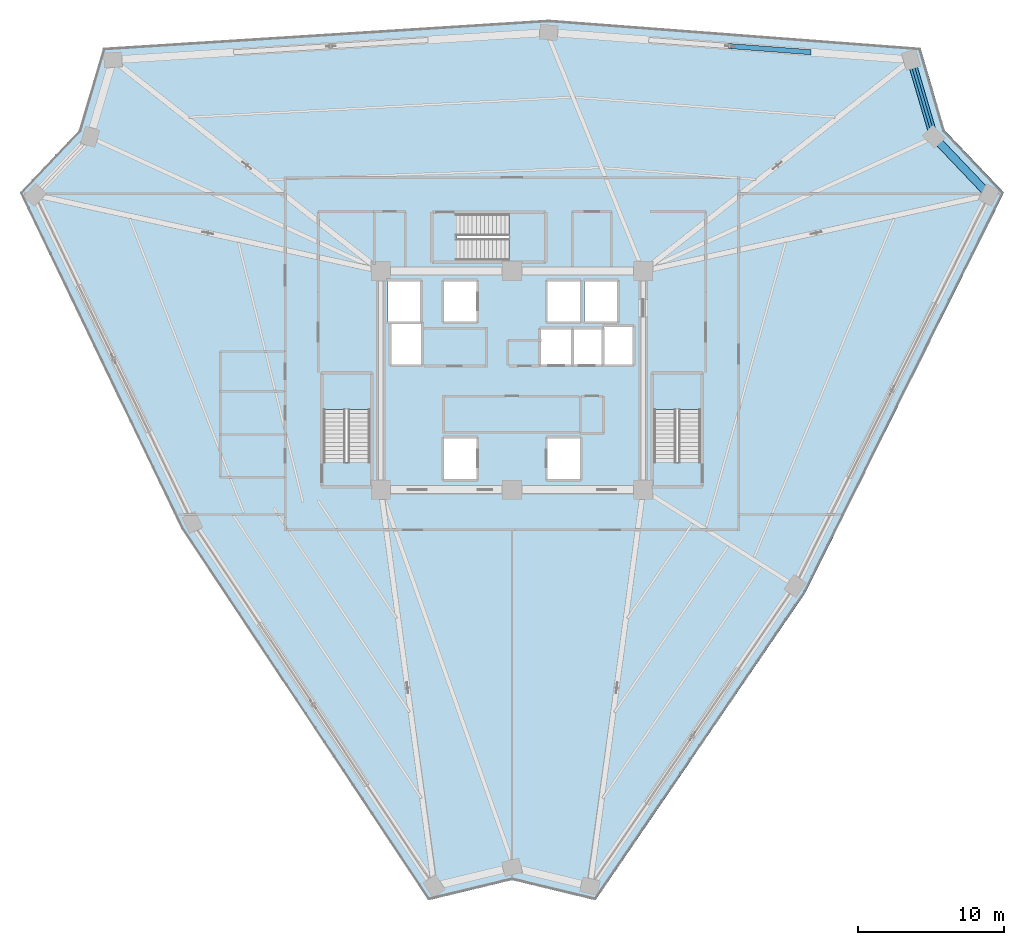
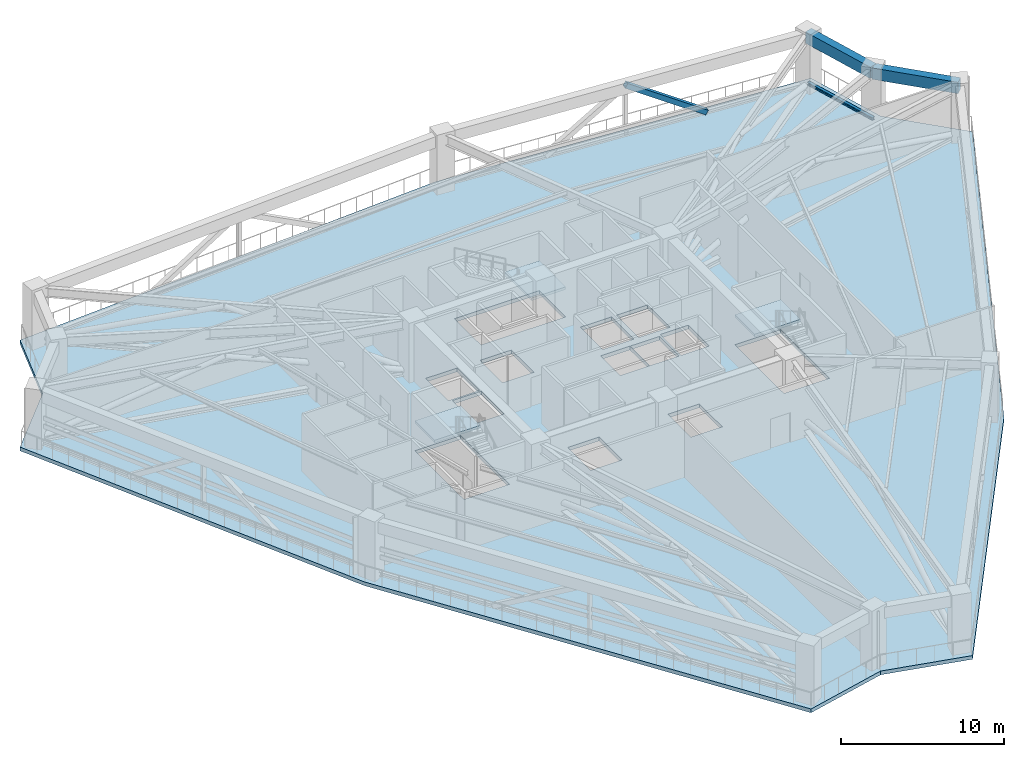
# One storey, part 11 of 25: 4 slabs, 2 beams, 2 members, 3 elements without a shape of their own.
"""IFC4 building model written with IfcOpenShell, lengths in metres."""

from ifc_helpers import new_model, si_unit, direction, frame, origin, origin_2d, place, context, subcontext, project, spatial, polyline, rectangle, hollow_rectangle, i_section, outline, extrude, source, transform, mapped, material, layer, layer_set, material_profile, profile_set, type_object, element, aggregate, save


model = new_model("IFC4")

# Units and contexts
model_context = context("Model", 3, precision=1e-05, world=origin(), true_north=direction((0.0, 1.0)))
body_context = subcontext(model_context, "Body", "Model", "MODEL_VIEW")
ifc_project = project(units=[si_unit("LENGTHUNIT", "METRE"), si_unit("AREAUNIT", "SQUARE_METRE"), si_unit("VOLUMEUNIT", "CUBIC_METRE"), si_unit("PLANEANGLEUNIT", "RADIAN"), si_unit("MASSUNIT", "GRAM", prefix="KILO")], contexts=[model_context])

# Site, building, storey
site_placement = place(None, origin())
site = spatial("IfcSite", under=ifc_project, at=site_placement, CompositionType="ELEMENT")
building_placement = place(site_placement, origin())
building = spatial("IfcBuilding", under=site, at=building_placement, Name="Liaohun Quay Tower", CompositionType="ELEMENT")
storey_placement = place(building_placement, frame((0.0, 0.0, 231.75)))
storey = spatial("IfcBuildingStorey", under=building, at=storey_placement, Name="L60", CompositionType="ELEMENT", Elevation=231.75)

# Beams
ifc_material_1 = material(Name="Precast concrete C50", Category="concrete")
ifc_material_profile_1 = material_profile(ifc_material_1, rectangle(XDim=0.550048828125, YDim=0.85009765625, at=origin_2d()), Name="RC550x850")
ifc_profile_set_1 = profile_set([ifc_material_profile_1], Name="Precast concrete C50")
beam_type = type_object("IfcBeamType", Name="BM-SPD-Z3", PredefinedType="SPANDREL", material=ifc_profile_set_1)
shared_shape_1 = source(origin(), body_context, "Body", "SweptSolid", [
    extrude(rectangle(XDim=0.550048828125, YDim=0.85009765625, at=origin_2d()), origin(), (0.0, 0.0, 1.0), 5.50732421875),
])
beam_1_placement = place(storey_placement, frame((87.382080078125, 75.990966796875, 3.89501953125), z_axis=(0.282516711831, -0.959262376796, 0.0), x_axis=(0.959262376796, 0.282516711831, 0.0)))
element("IfcBeam", 1, at=beam_1_placement, inside=storey, type_object=beam_type, Name="L60 Precast Spandrel Beam PC07-PC08", PredefinedType="SPANDREL", context=body_context, shape_type="MappedRepresentation", body=[
    mapped(shared_shape_1, transform((0.0, 0.0, 0.0), x_axis=(1.0, 0.0, 0.0), y_axis=(0.0, 1.0, 0.0), z_axis=(0.0, 0.0, 1.0), scale=1.0)),
])
shared_shape_2 = source(origin(), body_context, "Body", "SweptSolid", [
    extrude(rectangle(XDim=0.550048828125, YDim=0.85009765625, at=origin_2d()), origin(), (0.0, 0.0, 1.0), 5.500244140625),
])
beam_2_placement = place(storey_placement, frame((88.93798828125, 70.7080078125, 3.89501953125), z_axis=(0.68924275152, -0.724530488991, 0.0), x_axis=(0.724530488991, 0.68924275152, 0.0)))
element("IfcBeam", 2, at=beam_2_placement, inside=storey, type_object=beam_type, Name="L60 Precast Spandrel Beam PC08-PC09", PredefinedType="SPANDREL", context=body_context, shape_type="MappedRepresentation", body=[
    mapped(shared_shape_2, transform((0.0, 0.0, 0.0), x_axis=(1.0, 0.0, 0.0), y_axis=(0.0, 1.0, 0.0), z_axis=(0.0, 0.0, 1.0), scale=1.0)),
])

# Members
ifc_material_2 = material(Name="Steel Q355D", Category="steel")
ifc_material_profile_2 = material_profile(ifc_material_2, hollow_rectangle(XDim=0.35009765625, YDim=0.35009765625, WallThickness=0.01611328125, at=origin_2d()), Name="SHS350x350x16")
ifc_profile_set_2 = profile_set([ifc_material_profile_2], Name="Steel Q355D")
member_type_1 = type_object("IfcMemberType", Name="MEM-BLT-DG2", PredefinedType="BRACE", material=ifc_profile_set_2)
shared_shape_3 = source(origin(), body_context, "Body", "SweptSolid", [
    extrude(hollow_rectangle(XDim=0.35009765625, YDim=0.35009765625, WallThickness=0.01611328125, at=origin_2d()), origin(), (0.0, 0.0, 1.0), 6.599853515625),
])
member_1_placement = place(storey_placement, frame((74.949951171875, 76.929931640625, 4.02001953125), z_axis=(0.828789676639, -0.062552258121, -0.556052953324), x_axis=(0.075260174428, 0.99716393143, 0.0)))
element("IfcMember", 3, at=member_1_placement, inside=storey, type_object=member_type_1, Name="L60 Belt Truss Diagonal BD-04B", PredefinedType="BRACE", context=body_context, shape_type="MappedRepresentation", body=[
    mapped(shared_shape_3, transform((0.0, 0.0, 0.0), x_axis=(1.0, 0.0, 0.0), y_axis=(0.0, 1.0, 0.0), z_axis=(0.0, 0.0, 1.0), scale=1.0)),
])
ifc_material_profile_3 = material_profile(ifc_material_2, i_section(OverallWidth=0.199951171875, OverallDepth=0.199951171875, WebThickness=0.008056640625, FlangeThickness=0.011962890625, at=origin_2d()), Name="HW200x200x8x12")
ifc_profile_set_3 = profile_set([ifc_material_profile_3], Name="Steel Q355D")
member_type_2 = type_object("IfcMemberType", Name="MEM-HDR-TRM", PredefinedType="STUD", material=ifc_profile_set_3)
shared_shape_4 = source(origin(), body_context, "Body", "SweptSolid", [
    extrude(i_section(OverallWidth=0.199951171875, OverallDepth=0.199951171875, WebThickness=0.008056640625, FlangeThickness=0.011962890625, at=origin_2d()), origin(), (0.0, 0.0, 1.0), 5.50732421875),
])
member_2_placement = place(storey_placement, frame((87.382080078125, 75.990966796875, 0.35009765625), z_axis=(0.282516711831, -0.959262376796, 0.0), x_axis=(0.959262376796, 0.282516711831, 0.0)))
element("IfcMember", 4, at=member_2_placement, inside=storey, type_object=member_type_2, Name="L60 Refuge Notch Header Tie Stud HT-1-02", PredefinedType="STUD", context=body_context, shape_type="MappedRepresentation", body=[
    mapped(shared_shape_4, transform((0.0, 0.0, 0.0), x_axis=(1.0, 0.0, 0.0), y_axis=(0.0, 1.0, 0.0), z_axis=(0.0, 0.0, 1.0), scale=1.0)),
])

# Stair, slab
ifc_material_3 = material(Name="Concrete C45", Category="concrete")
stair_type = type_object("IfcStairType", Name="STR-CORE-TALL", PredefinedType="HALF_TURN_STAIR", material=ifc_material_3)
stair_1_placement = place(storey_placement, origin())
stair_1 = element("IfcStair", 5, at=stair_1_placement, inside=storey, type_object=stair_type, Name="L60 Smokeproof Core Exit Stair ST-1", PredefinedType="HALF_TURN_STAIR")
ifc_layer_1 = layer(ifc_material_3, 0.199951171875, Name="Concrete C45", Category="concrete")
ifc_layer_set_1 = layer_set([ifc_layer_1], Name="Concrete C45")
slab_type_1 = type_object("IfcSlabType", Name="SLB-LND-200", PredefinedType="LANDING", material=ifc_layer_set_1)
slab_1_placement = place(storey_placement, frame((0.0, 0.0, 2.050048828125)))
slab_1 = element("IfcSlab", 6, at=slab_1_placement, type_object=slab_type_1, Name="ST-1 landing 1", PredefinedType="LANDING", context=body_context, shape_type="SweptSolid", body=[
    extrude(outline(polyline([(50.280029296875, 51.989990234375), (50.280029296875, 54.419921875), (47.0400390625, 54.419921875), (47.0400390625, 51.989990234375), (50.280029296875, 51.989990234375)])), origin(), (0.0, 0.0, 1.0), 0.199951171875),
])
aggregate(stair_1, [slab_1])

stair_2_placement = place(storey_placement, origin())
stair_2 = element("IfcStair", 7, at=stair_2_placement, inside=storey, type_object=stair_type, Name="L60 Smokeproof Core Exit Stair ST-2", PredefinedType="HALF_TURN_STAIR")
slab_2_placement = place(storey_placement, frame((0.0, 0.0, 2.050048828125)))
slab_2 = element("IfcSlab", 8, at=slab_2_placement, type_object=slab_type_1, Name="ST-2 landing 1", PredefinedType="LANDING", context=body_context, shape_type="SweptSolid", body=[
    extrude(outline(polyline([(72.9599609375, 51.989990234375), (72.9599609375, 54.419921875), (69.719970703125, 54.419921875), (69.719970703125, 51.989990234375), (72.9599609375, 51.989990234375)])), origin(), (0.0, 0.0, 1.0), 0.199951171875),
])
aggregate(stair_2, [slab_2])

stair_3_placement = place(storey_placement, origin())
stair_3 = element("IfcStair", 9, at=stair_3_placement, inside=storey, type_object=stair_type, Name="L60 Smokeproof Core Exit Stair ST-3", PredefinedType="HALF_TURN_STAIR")
slab_3_placement = place(storey_placement, frame((0.0, 0.0, 2.050048828125)))
slab_3 = element("IfcSlab", 10, at=slab_3_placement, type_object=slab_type_1, Name="ST-3 landing 1", PredefinedType="LANDING", context=body_context, shape_type="SweptSolid", body=[
    extrude(outline(polyline([(59.7900390625, 62.199951171875), (62.219970703125, 62.199951171875), (62.219970703125, 65.43994140625), (59.7900390625, 65.43994140625), (59.7900390625, 62.199951171875)])), origin(), (0.0, 0.0, 1.0), 0.199951171875),
])
aggregate(stair_3, [slab_3])

# Slab
ifc_material_4 = material(Name="Concrete C50", Category="concrete")
ifc_layer_2 = layer(ifc_material_4, 0.280029296875, Name="Concrete C50", Category="concrete")
ifc_layer_set_2 = layer_set([ifc_layer_2], Name="Concrete C50")
slab_type_2 = type_object("IfcSlabType", Name="SLB-REF-280", PredefinedType="FLOOR", material=ifc_layer_set_2)
slab_4_placement = place(storey_placement, frame((0.0, 0.0, -0.280029296875)))
element("IfcSlab", 11, at=slab_4_placement, inside=storey, type_object=slab_type_2, Name="L60 Structural Floor Slab", PredefinedType="FLOOR", context=body_context, shape_type="SweptSolid", body=[
    extrude(outline(polyline([(54.27490234375, 18.327880859375), (60.0, 19.7109375), (65.72509765625, 18.327880859375), (80.14794921875, 39.455078125), (93.7548828125, 66.8779296875), (89.695068359375, 71.14501953125), (88.031005859375, 76.7939453125), (62.52294921875, 78.720947265625), (31.968994140625, 76.7939453125), (30.304931640625, 71.14501953125), (26.2451171875, 66.8779296875), (37.330078125, 43.823974609375), (54.27490234375, 18.327880859375)]), holes=[polyline([(57.56005859375, 50.030029296875), (55.340087890625, 50.030029296875), (55.340087890625, 47.2099609375), (57.56005859375, 47.2099609375), (57.56005859375, 50.030029296875)]), polyline([(50.280029296875, 54.419921875), (47.0400390625, 54.419921875), (47.0400390625, 48.409912109375), (50.280029296875, 48.409912109375), (50.280029296875, 54.419921875)]), polyline([(64.06005859375, 55.090087890625), (64.06005859375, 57.510009765625), (61.989990234375, 57.510009765625), (61.989990234375, 55.090087890625), (64.06005859375, 55.090087890625)]), polyline([(53.760009765625, 57.909912109375), (51.7099609375, 57.909912109375), (51.7099609375, 55.090087890625), (53.760009765625, 55.090087890625), (53.760009765625, 57.909912109375)]), polyline([(53.7099609375, 58.0400390625), (53.7099609375, 60.7900390625), (51.489990234375, 60.7900390625), (51.489990234375, 58.0400390625), (53.7099609375, 58.0400390625)]), polyline([(57.56005859375, 58.0400390625), (57.56005859375, 60.7900390625), (55.340087890625, 60.7900390625), (55.340087890625, 58.0400390625), (57.56005859375, 58.0400390625)]), polyline([(62.219970703125, 65.43994140625), (56.2099609375, 65.43994140625), (56.2099609375, 62.199951171875), (62.219970703125, 62.199951171875), (62.219970703125, 65.43994140625)]), polyline([(64.659912109375, 47.2099609375), (64.659912109375, 50.030029296875), (62.43994140625, 50.030029296875), (62.43994140625, 47.2099609375), (64.659912109375, 47.2099609375)]), polyline([(72.9599609375, 54.419921875), (69.719970703125, 54.419921875), (69.719970703125, 48.409912109375), (72.9599609375, 48.409912109375), (72.9599609375, 54.419921875)]), polyline([(66.159912109375, 55.090087890625), (66.159912109375, 57.510009765625), (64.090087890625, 57.510009765625), (64.090087890625, 55.090087890625), (66.159912109375, 55.090087890625)]), polyline([(68.2900390625, 55.090087890625), (68.2900390625, 57.659912109375), (66.2900390625, 57.659912109375), (66.2900390625, 55.090087890625), (68.2900390625, 55.090087890625)]), polyline([(64.659912109375, 58.0400390625), (64.659912109375, 60.7900390625), (62.43994140625, 60.7900390625), (62.43994140625, 58.0400390625), (64.659912109375, 58.0400390625)]), polyline([(67.2099609375, 58.0400390625), (67.2099609375, 60.7900390625), (64.989990234375, 60.7900390625), (64.989990234375, 58.0400390625), (67.2099609375, 58.0400390625)])]), origin(), (0.0, 0.0, 1.0), 0.280029296875),
])

save(model, "model.ifc")
